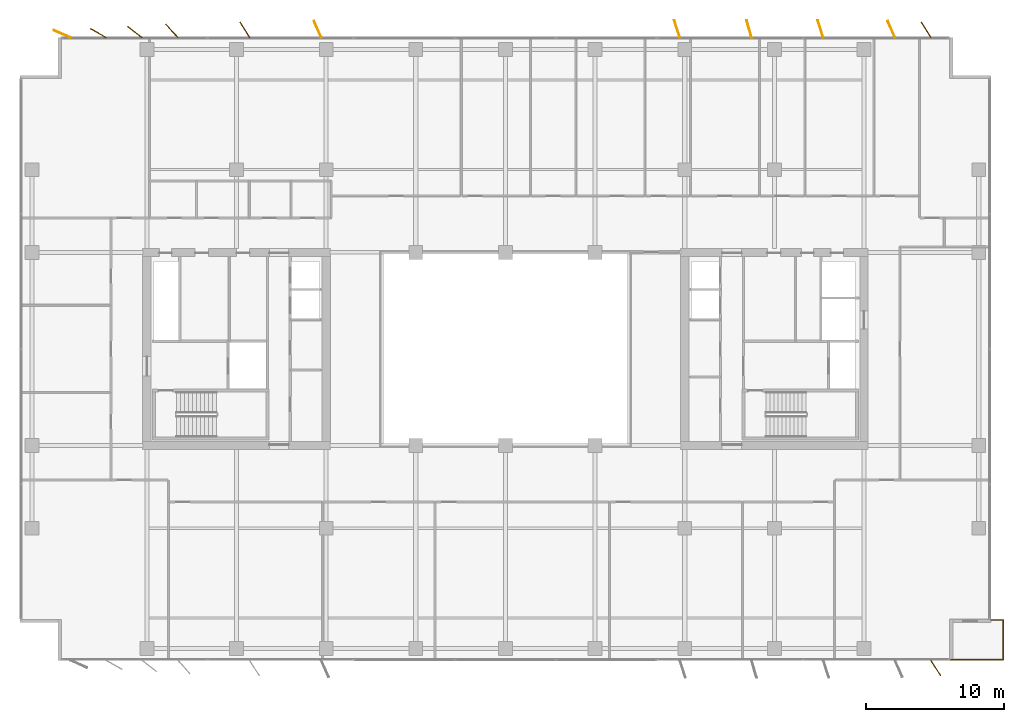
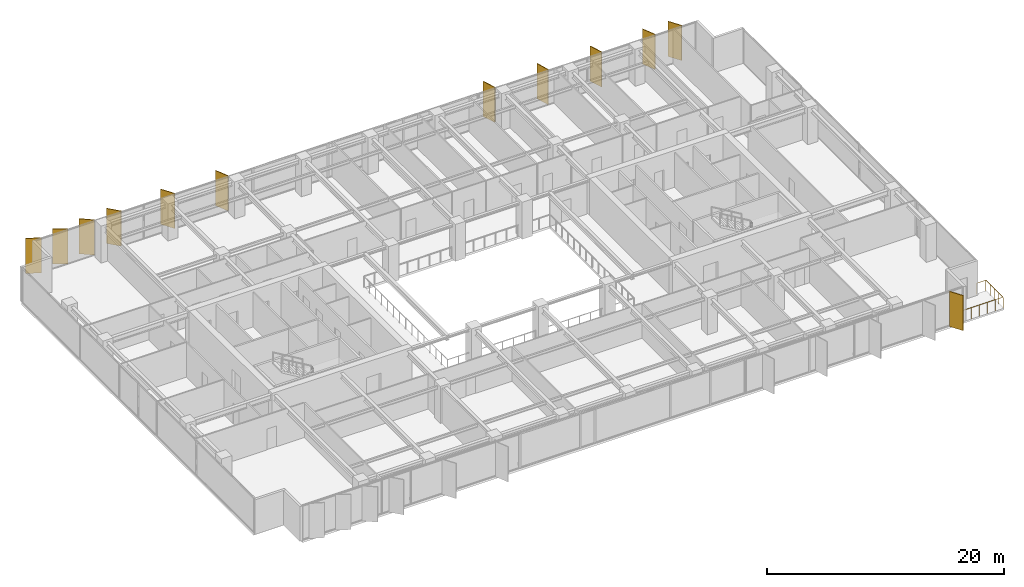
# One storey, part 22 of 22: 12 shading devices, 1 railing.
"""IFC4 building model written with IfcOpenShell, lengths in metres."""

from ifc_helpers import new_model, si_unit, direction, frame, origin, origin_2d, place, context, subcontext, project, spatial, rectangle, circle, extrude, material, layer, layer_set, type_object, element, save


model = new_model("IFC4")

# Units and contexts
model_context = context("Model", 3, precision=1e-05, world=origin(), true_north=direction((0.0, 1.0)))
body_context = subcontext(model_context, "Body", "Model", "MODEL_VIEW")
ifc_project = project(units=[si_unit("LENGTHUNIT", "METRE"), si_unit("AREAUNIT", "SQUARE_METRE"), si_unit("VOLUMEUNIT", "CUBIC_METRE"), si_unit("PLANEANGLEUNIT", "RADIAN"), si_unit("MASSUNIT", "GRAM", prefix="KILO")], contexts=[model_context])

# Site, building, storey
site_placement = place(None, origin())
site = spatial("IfcSite", under=ifc_project, at=site_placement, CompositionType="ELEMENT")
building_placement = place(site_placement, origin())
building = spatial("IfcBuilding", under=site, at=building_placement, Name="Putna Gate Headquarters", CompositionType="ELEMENT")
storey_placement = place(building_placement, frame((0.0, 0.0, 186.0)))
storey = spatial("IfcBuildingStorey", under=building, at=storey_placement, Name="L46", CompositionType="ELEMENT", Elevation=186.0)

# Railing
ifc_material_1 = material(Name="Anodised bronze steel and laminated glass guardrail", Category="steel")
railing_type = type_object("IfcRailingType", Name="RAIL-TERR-GUARD-1150", PredefinedType="GUARDRAIL", material=ifc_material_1)
railing_placement = place(storey_placement, frame((71.199951171875, 3.4599609375, 0.0)))
element("IfcRailing", 1, at=railing_placement, inside=storey, type_object=railing_type, Name="L46 Spiral Sky Terrace Guardrail SE", PredefinedType="GUARDRAIL", context=body_context, shape_type="SweptSolid", body=[
    extrude(circle(Radius=0.02392578125, at=origin_2d()), frame((0.0, 0.0, 1.1259765625), z_axis=(1.0, 0.0, 0.0), x_axis=(0.0, 1.0, 0.0)), (0.0, 0.0, 1.0), 3.89013671875),
    extrude(circle(Radius=0.02392578125, at=origin_2d()), frame((3.89013671875, 0.0, 1.1259765625), z_axis=(0.0, 1.0, 0.0), x_axis=(-1.0, 0.0, 0.0)), (0.0, 0.0, 1.0), 2.880126953125),
    extrude(circle(Radius=0.02392578125, at=origin_2d()), frame((3.89013671875, 2.880126953125, 1.1259765625), z_axis=(-1.0, 0.0, 0.0), x_axis=(0.0, -1.0, 0.0)), (0.0, 0.0, 1.0), 0.89013671875),
    extrude(circle(Radius=0.02099609375, at=origin_2d()), origin(), (0.0, 0.0, 1.0), 1.101806640625),
    extrude(circle(Radius=0.02099609375, at=origin_2d()), frame((0.778076171875, 0.0, 0.0)), (0.0, 0.0, 1.0), 1.101806640625),
    extrude(circle(Radius=0.02099609375, at=origin_2d()), frame((1.55615234375, 0.0, 0.0)), (0.0, 0.0, 1.0), 1.101806640625),
    extrude(circle(Radius=0.02099609375, at=origin_2d()), frame((2.333984375, 0.0, 0.0)), (0.0, 0.0, 1.0), 1.101806640625),
    extrude(circle(Radius=0.02099609375, at=origin_2d()), frame((3.112060546875, 0.0, 0.0)), (0.0, 0.0, 1.0), 1.101806640625),
    extrude(circle(Radius=0.02099609375, at=origin_2d()), frame((3.89013671875, 0.0, 0.0)), (0.0, 0.0, 1.0), 1.101806640625),
    extrude(circle(Radius=0.02099609375, at=origin_2d()), frame((3.89013671875, 0.719970703125, 0.0)), (0.0, 0.0, 1.0), 1.101806640625),
    extrude(circle(Radius=0.02099609375, at=origin_2d()), frame((3.89013671875, 1.43994140625, 0.0)), (0.0, 0.0, 1.0), 1.101806640625),
    extrude(circle(Radius=0.02099609375, at=origin_2d()), frame((3.89013671875, 2.16015625, 0.0)), (0.0, 0.0, 1.0), 1.101806640625),
    extrude(circle(Radius=0.02099609375, at=origin_2d()), frame((3.89013671875, 2.880126953125, 0.0)), (0.0, 0.0, 1.0), 1.101806640625),
    extrude(circle(Radius=0.02099609375, at=origin_2d()), frame((3.0, 2.880126953125, 0.0)), (0.0, 0.0, 1.0), 1.101806640625),
])

# Shading devices
ifc_material_2 = material(Name="Anodised architectural bronze aluminium fin", Category="aluminium")
ifc_layer = layer(ifc_material_2, 0.06494140625)
ifc_layer_set = layer_set([ifc_layer], Name="Anodised architectural bronze aluminium fin")
shading_device_type = type_object("IfcShadingDeviceType", Name="SHADE-BRONZE-FIN-1320", PredefinedType="USERDEFINED", material=ifc_layer_set)
for number, where, z_axis, x_axis, name in (
    (2, (6.846923828125, 48.84326171875, -0.02001953125), (0.0, 0.0, 1.0), (-0.913687379856, 0.40641773078, 0.0), "L46 Bronze Vertical Shading Fin N1"),
    (3, (9.476318359375, 48.901123046875, -0.02001953125), (0.0, 0.0, 1.0), (-0.869322458298, 0.494245347472, 0.0), "L46 Bronze Vertical Shading Fin N2"),
    (4, (12.13037109375, 48.981689453125, -0.02001953125), (0.0, 0.0, 1.0), (-0.787473187632, 0.616348909921, 0.0), "L46 Bronze Vertical Shading Fin N3"),
    (5, (14.808349609375, 49.0654296875, -0.02001953125), (0.0, 0.0, 1.0), (-0.669130606359, 0.743144825477, 0.0), "L46 Bronze Vertical Shading Fin N4"),
    (6, (20.099853515625, 49.134521484375, -0.02001953125), (0.0, 0.0, 1.0), (-0.530659123936, 0.847585331506, 0.0), "L46 Bronze Vertical Shading Fin N5"),
    (7, (25.385498046875, 49.1796875, -0.02001953125), (0.0, 0.0, 1.0), (-0.400668879095, 0.916222925562, 0.0), "L46 Bronze Vertical Shading Fin N6"),
    (8, (51.4462890625, 49.202880859375, -0.02001953125), (0.0, 0.0, 1.0), (-0.308684994204, 0.951164325631, 0.0), "L46 Bronze Vertical Shading Fin N7"),
    (9, (56.668212890625, 49.20947265625, -0.02001953125), (0.0, 0.0, 1.0), (-0.275637355817, 0.961261695938, 0.0), "L46 Bronze Vertical Shading Fin N8"),
    (10, (61.84619140625, 49.202880859375, -0.02001953125), (0.0, 0.0, 1.0), (-0.308684994204, 0.951164325631, 0.0), "L46 Bronze Vertical Shading Fin N9"),
    (11, (66.985595703125, 49.1796875, -0.02001953125), (0.0, 0.0, 1.0), (-0.400668879095, 0.916222925562, 0.0), "L46 Bronze Vertical Shading Fin N10"),
    (12, (70.2001953125, 2.865478515625, -0.02001953125), (0.0, 0.0, 1.0), (0.530659123936, -0.847585331506, 0.0), "L46 Bronze Vertical Shading Fin S11"),
    (13, (69.499755859375, 49.134521484375, -0.02001953125), (0.0, 0.0, 1.0), (-0.530659123936, 0.847585331506, 0.0), "L46 Bronze Vertical Shading Fin N11"),
):
    element("IfcShadingDevice", number, at=place(storey_placement, frame(where, z_axis=z_axis, x_axis=x_axis)), inside=storey, type_object=shading_device_type, Name=name, ObjectType="FIN", PredefinedType="USERDEFINED", context=body_context, shape_type="SweptSolid", body=[
        extrude(rectangle(XDim=1.320068359375, YDim=0.06494140625, at=origin_2d()), origin(), (0.0, 0.0, 1.0), 3.612060546875),
    ])

save(model, "model.ifc")
